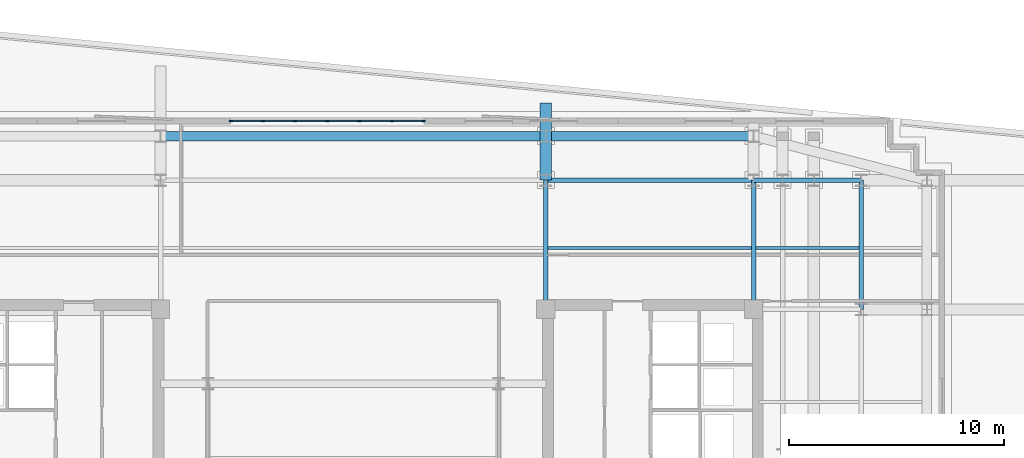
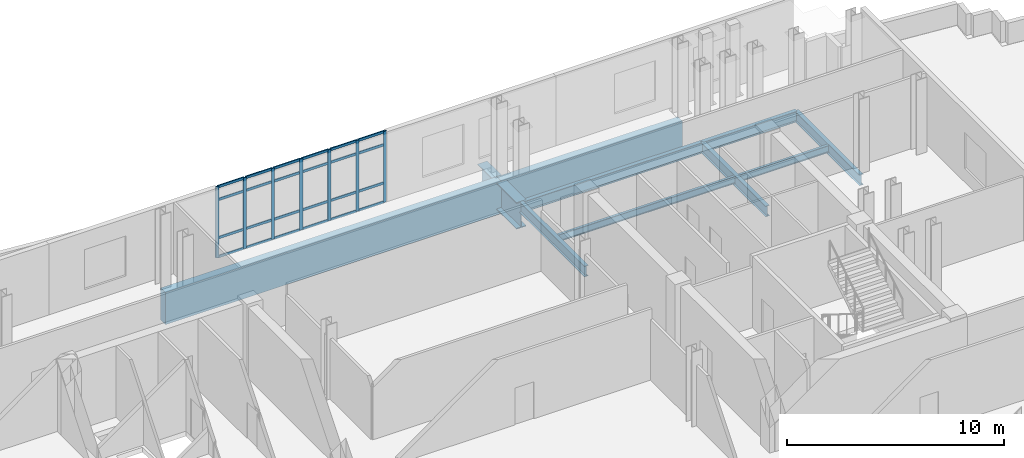
# One storey, part 3 of 11: 31 members, 10 beams, 1 element without a shape of its own.
"""IFC4 building model written with IfcOpenShell, lengths in metres."""

from ifc_helpers import new_model, si_unit, direction, frame, origin, origin_2d, place, context, subcontext, project, spatial, rectangle, i_section, extrude, material, layer, layer_set, material_profile, profile_set, type_object, element, aggregate, save


model = new_model("IFC4")

# Units and contexts
model_context = context("Model", 3, precision=1e-05, world=origin(), true_north=direction((0.0, 1.0)))
body_context = subcontext(model_context, "Body", "Model", "MODEL_VIEW")
ifc_project = project(units=[si_unit("LENGTHUNIT", "METRE"), si_unit("AREAUNIT", "SQUARE_METRE"), si_unit("VOLUMEUNIT", "CUBIC_METRE"), si_unit("PLANEANGLEUNIT", "RADIAN"), si_unit("MASSUNIT", "GRAM", prefix="KILO")], contexts=[model_context])

# Site, building, storey
site_placement = place(None, origin())
site = spatial("IfcSite", under=ifc_project, at=site_placement, CompositionType="ELEMENT")
building_placement = place(site_placement, origin())
building = spatial("IfcBuilding", under=site, at=building_placement, Name="Velakula Bourse", CompositionType="ELEMENT")
storey_placement = place(building_placement, frame((0.0, 0.0, 204.300048828125)))
storey = spatial("IfcBuildingStorey", under=building, at=storey_placement, Name="L55", CompositionType="ELEMENT", Elevation=204.300048828125)

# Beams
ifc_material_1 = material(Name="Steel IS 2062 Grade 350 (E350)", Category="steel")
ifc_material_profile_1 = material_profile(ifc_material_1, i_section(OverallWidth=0.2099609375, OverallDepth=0.60009765625, WebThickness=0.011962890625, FlangeThickness=0.020751953125, at=origin_2d()), Name="Steel IS 2062 Grade 350 (E350)")
ifc_profile_set_1 = profile_set([ifc_material_profile_1], Name="Steel IS 2062 Grade 350 (E350)")
beam_type_1 = type_object("IfcBeamType", Name="BM-GRD-600L", PredefinedType="BEAM", material=ifc_profile_set_1)
for number, where, z_axis, x_axis, name in (
    (1, (8.949951171875, 8.60009765625, -0.580078125), (0.0, 1.0, 0.0), (-1.0, 0.0, 0.0), "L55 Fulcrum Grid Girder FLC-ECN"),
    (2, (18.60009765625, 8.60009765625, -0.580078125), (0.0, 1.0, 0.0), (-1.0, 0.0, 0.0), "L55 Fulcrum Grid Girder FLC-EN"),
):
    element("IfcBeam", number, at=place(storey_placement, frame(where, z_axis=z_axis, x_axis=x_axis)), inside=storey, type_object=beam_type_1, Name=name, PredefinedType="BEAM", context=body_context, shape_type="SweptSolid", body=[
        extrude(i_section(OverallWidth=0.2099609375, OverallDepth=0.60009765625, WebThickness=0.011962890625, FlangeThickness=0.020751953125, at=origin_2d()), origin(), (0.0, 0.0, 1.0), 6.0),
    ])
beam_1_placement = place(storey_placement, frame((8.949951171875, 14.60009765625, -0.580078125), z_axis=(1.0, 0.0, 0.0), x_axis=(0.0, 1.0, 0.0)))
element("IfcBeam", 3, at=beam_1_placement, inside=storey, type_object=beam_type_1, Name="L55 Fulcrum Grid Girder FLC-N3", PredefinedType="BEAM", context=body_context, shape_type="SweptSolid", body=[
    extrude(i_section(OverallWidth=0.2099609375, OverallDepth=0.60009765625, WebThickness=0.011962890625, FlangeThickness=0.020751953125, at=origin_2d()), origin(), (0.0, 0.0, 1.0), 9.650146484375),
])
beam_2_placement = place(storey_placement, frame((18.60009765625, 14.60009765625, -0.580078125), z_axis=(1.0, 0.0, 0.0), x_axis=(0.0, 1.0, 0.0)))
element("IfcBeam", 4, at=beam_2_placement, inside=storey, type_object=beam_type_1, Name="L55 Fulcrum Grid Girder MWG-EN2", PredefinedType="BEAM", context=body_context, shape_type="SweptSolid", body=[
    extrude(i_section(OverallWidth=0.2099609375, OverallDepth=0.60009765625, WebThickness=0.011962890625, FlangeThickness=0.020751953125, at=origin_2d()), origin(), (0.0, 0.0, 1.0), 5.0),
])
beam_3_placement = place(storey_placement, frame((23.60009765625, 8.60009765625, -0.580078125), z_axis=(0.0, 1.0, 0.0), x_axis=(-1.0, 0.0, 0.0)))
element("IfcBeam", 5, at=beam_3_placement, inside=storey, type_object=beam_type_1, Name="L55 Fulcrum Grid Girder MWG-ENS3", PredefinedType="BEAM", context=body_context, shape_type="SweptSolid", body=[
    extrude(i_section(OverallWidth=0.2099609375, OverallDepth=0.60009765625, WebThickness=0.011962890625, FlangeThickness=0.020751953125, at=origin_2d()), origin(), (0.0, 0.0, 1.0), 6.0),
])
ifc_material_profile_2 = material_profile(ifc_material_1, i_section(OverallWidth=0.139892578125, OverallDepth=0.39990234375, WebThickness=0.0087890625, FlangeThickness=0.01611328125, at=origin_2d()), Name="Steel IS 2062 Grade 350 (E350)")
ifc_profile_set_2 = profile_set([ifc_material_profile_2], Name="Steel IS 2062 Grade 350 (E350)")
beam_type_2 = type_object("IfcBeamType", Name="JST-TWR-400", PredefinedType="JOIST", material=ifc_profile_set_2)
beam_4_placement = place(storey_placement, frame((9.054931640625, 11.449951171875, -0.47998046875), z_axis=(1.0, 0.0, 0.0), x_axis=(0.0, 1.0, 0.0)))
element("IfcBeam", 6, at=beam_4_placement, inside=storey, type_object=beam_type_2, Name="L55 Trading Floor Composite Joist 15", PredefinedType="JOIST", context=body_context, shape_type="SweptSolid", body=[
    extrude(i_section(OverallWidth=0.139892578125, OverallDepth=0.39990234375, WebThickness=0.0087890625, FlangeThickness=0.01611328125, at=origin_2d()), origin(), (0.0, 0.0, 1.0), 9.440185546875),
])
beam_5_placement = place(storey_placement, frame((18.705078125, 11.449951171875, -0.47998046875), z_axis=(1.0, 0.0, 0.0), x_axis=(0.0, 1.0, 0.0)))
element("IfcBeam", 7, at=beam_5_placement, inside=storey, type_object=beam_type_2, Name="L55 Trading Floor Composite Joist 16", PredefinedType="JOIST", context=body_context, shape_type="SweptSolid", body=[
    extrude(i_section(OverallWidth=0.139892578125, OverallDepth=0.39990234375, WebThickness=0.0087890625, FlangeThickness=0.01611328125, at=origin_2d()), origin(), (0.0, 0.0, 1.0), 4.7900390625),
])

# Curtain wall, members
ifc_material_2 = material(Name="Anodised bronze architectural aluminium", Category="aluminium")
ifc_layer = layer(ifc_material_2, 0.1650390625, Name="Anodised bronze architectural aluminium", Category="aluminium")
ifc_layer_set = layer_set([ifc_layer], Name="Anodised bronze architectural aluminium")
curtain_wall_type = type_object("IfcCurtainWallType", Name="CW-SL1", PredefinedType="NOTDEFINED", material=ifc_layer_set)
curtain_wall_placement = place(storey_placement, origin())
curtain_wall = element("IfcCurtainWall", 8, at=curtain_wall_placement, inside=storey, type_object=curtain_wall_type, Name="L55 Sky-Lobby Feature Curtain Wall", PredefinedType="NOTDEFINED")
ifc_material_profile_3 = material_profile(ifc_material_2, rectangle(XDim=0.06005859375, YDim=0.1650390625, at=origin_2d()), Name="Anodised bronze architectural aluminium")
ifc_profile_set_3 = profile_set([ifc_material_profile_3], Name="Anodised bronze architectural aluminium")
member_type_1 = type_object("IfcMemberType", Name="MUL-CW-SL1", PredefinedType="MULLION", material=ifc_profile_set_3)
member_1_placement = place(storey_placement, frame((-5.669921875, 17.35009765625, 0.0), z_axis=(0.0, 0.0, 1.0), x_axis=(0.0, 1.0, 0.0)))
member_1 = element("IfcMember", 9, at=member_1_placement, type_object=member_type_1, Name="CW-SL1 mullion 1", PredefinedType="MULLION", context=body_context, shape_type="SweptSolid", body=[
    extrude(rectangle(XDim=0.06005859375, YDim=0.1650390625, at=origin_2d()), origin(), (0.0, 0.0, 1.0), 4.0),
])
member_2_placement = place(storey_placement, frame((-4.199951171875, 17.35009765625, 0.0), z_axis=(0.0, 0.0, 1.0), x_axis=(0.0, 1.0, 0.0)))
member_2 = element("IfcMember", 10, at=member_2_placement, type_object=member_type_1, Name="CW-SL1 mullion 2", PredefinedType="MULLION", context=body_context, shape_type="SweptSolid", body=[
    extrude(rectangle(XDim=0.06005859375, YDim=0.1650390625, at=origin_2d()), origin(), (0.0, 0.0, 1.0), 4.0),
])
member_3_placement = place(storey_placement, frame((-2.699951171875, 17.35009765625, 0.0), z_axis=(0.0, 0.0, 1.0), x_axis=(0.0, 1.0, 0.0)))
member_3 = element("IfcMember", 11, at=member_3_placement, type_object=member_type_1, Name="CW-SL1 mullion 3", PredefinedType="MULLION", context=body_context, shape_type="SweptSolid", body=[
    extrude(rectangle(XDim=0.06005859375, YDim=0.1650390625, at=origin_2d()), origin(), (0.0, 0.0, 1.0), 4.0),
])
member_4_placement = place(storey_placement, frame((-1.199951171875, 17.35009765625, 0.0), z_axis=(0.0, 0.0, 1.0), x_axis=(0.0, 1.0, 0.0)))
member_4 = element("IfcMember", 12, at=member_4_placement, type_object=member_type_1, Name="CW-SL1 mullion 4", PredefinedType="MULLION", context=body_context, shape_type="SweptSolid", body=[
    extrude(rectangle(XDim=0.06005859375, YDim=0.1650390625, at=origin_2d()), origin(), (0.0, 0.0, 1.0), 4.0),
])
member_5_placement = place(storey_placement, frame((0.300048828125, 17.35009765625, 0.0), z_axis=(0.0, 0.0, 1.0), x_axis=(0.0, 1.0, 0.0)))
member_5 = element("IfcMember", 13, at=member_5_placement, type_object=member_type_1, Name="CW-SL1 mullion 5", PredefinedType="MULLION", context=body_context, shape_type="SweptSolid", body=[
    extrude(rectangle(XDim=0.06005859375, YDim=0.1650390625, at=origin_2d()), origin(), (0.0, 0.0, 1.0), 4.0),
])
member_6_placement = place(storey_placement, frame((1.800048828125, 17.35009765625, 0.0), z_axis=(0.0, 0.0, 1.0), x_axis=(0.0, 1.0, 0.0)))
member_6 = element("IfcMember", 14, at=member_6_placement, type_object=member_type_1, Name="CW-SL1 mullion 6", PredefinedType="MULLION", context=body_context, shape_type="SweptSolid", body=[
    extrude(rectangle(XDim=0.06005859375, YDim=0.1650390625, at=origin_2d()), origin(), (0.0, 0.0, 1.0), 4.0),
])
member_7_placement = place(storey_placement, frame((3.27001953125, 17.35009765625, 0.0), z_axis=(0.0, 0.0, 1.0), x_axis=(0.0, 1.0, 0.0)))
member_7 = element("IfcMember", 15, at=member_7_placement, type_object=member_type_1, Name="CW-SL1 mullion 7", PredefinedType="MULLION", context=body_context, shape_type="SweptSolid", body=[
    extrude(rectangle(XDim=0.06005859375, YDim=0.1650390625, at=origin_2d()), origin(), (0.0, 0.0, 1.0), 4.0),
])

# Beams
ifc_material_3 = material(Name="Concrete M50 (fck 50 MPa)", Category="concrete")
ifc_material_profile_4 = material_profile(ifc_material_3, rectangle(XDim=0.449951171875, YDim=1.800048828125, at=origin_2d()), Name="Concrete M50 (fck 50 MPa)")
ifc_profile_set_4 = profile_set([ifc_material_profile_4], Name="Concrete M50 (fck 50 MPa)")
beam_type_3 = type_object("IfcBeamType", Name="SPN-TRF-1800", PredefinedType="SPANDREL", material=ifc_profile_set_4)
beam_6_placement = place(storey_placement, frame((-8.949951171875, 16.64990234375, -1.179931640625), z_axis=(1.0, 0.0, 0.0), x_axis=(0.0, 1.0, 0.0)))
element("IfcBeam", 16, at=beam_6_placement, inside=storey, type_object=beam_type_3, Name="L55 Brick-Faced Precast Spandrel N2-N3", PredefinedType="SPANDREL", context=body_context, shape_type="SweptSolid", body=[
    extrude(rectangle(XDim=0.449951171875, YDim=1.800048828125, at=origin_2d()), origin(), (0.0, 0.0, 1.0), 17.89990234375),
])
beam_7_placement = place(storey_placement, frame((8.949951171875, 16.64990234375, -1.179931640625), z_axis=(1.0, 0.0, 0.0), x_axis=(0.0, 1.0, 0.0)))
element("IfcBeam", 17, at=beam_7_placement, inside=storey, type_object=beam_type_3, Name="L55 Brick-Faced Precast Spandrel N3-N4", PredefinedType="SPANDREL", context=body_context, shape_type="SweptSolid", body=[
    extrude(rectangle(XDim=0.449951171875, YDim=1.800048828125, at=origin_2d()), origin(), (0.0, 0.0, 1.0), 9.650146484375),
])
ifc_material_4 = material(Name="Steel IS 2062 Grade 450 (E450)", Category="steel")
ifc_material_profile_5 = material_profile(ifc_material_4, i_section(OverallWidth=0.52001953125, OverallDepth=1.5, WebThickness=0.030029296875, FlangeThickness=0.048095703125, at=origin_2d()), Name="Steel IS 2062 Grade 450 (E450)")
ifc_profile_set_5 = profile_set([ifc_material_profile_5], Name="Steel IS 2062 Grade 450 (E450)")
beam_type_4 = type_object("IfcBeamType", Name="TB-CANT-1500", PredefinedType="BEAM", material=ifc_profile_set_5)
beam_8_placement = place(storey_placement, frame((8.949951171875, 14.60009765625, -1.030029296875), z_axis=(0.0, 1.0, 0.0), x_axis=(-1.0, 0.0, 0.0)))
element("IfcBeam", 18, at=beam_8_placement, inside=storey, type_object=beam_type_4, Name="L55 Block B5 Transfer Girder N3", PredefinedType="BEAM", context=body_context, shape_type="SweptSolid", body=[
    extrude(i_section(OverallWidth=0.52001953125, OverallDepth=1.5, WebThickness=0.030029296875, FlangeThickness=0.048095703125, at=origin_2d()), origin(), (0.0, 0.0, 1.0), 3.589599609375),
])

# Member
ifc_material_profile_6 = material_profile(ifc_material_2, rectangle(XDim=0.06005859375, YDim=0.139892578125, at=origin_2d()), Name="Anodised bronze architectural aluminium")
ifc_profile_set_6 = profile_set([ifc_material_profile_6], Name="Anodised bronze architectural aluminium")
member_type_2 = type_object("IfcMemberType", Name="TRN-CW-SL1", PredefinedType="USERDEFINED", material=ifc_profile_set_6)
member_8_placement = place(storey_placement, frame((-5.639892578125, 17.35009765625, 0.030029296875), z_axis=(1.0, 0.0, 0.0), x_axis=(0.0, 1.0, 0.0)))
member_8 = element("IfcMember", 19, at=member_8_placement, type_object=member_type_2, Name="CW-SL1 transom 1.1", ObjectType="TRANSOM", PredefinedType="USERDEFINED", context=body_context, shape_type="SweptSolid", body=[
    extrude(rectangle(XDim=0.06005859375, YDim=0.139892578125, at=origin_2d()), origin(), (0.0, 0.0, 1.0), 1.409912109375),
])

member_9_placement = place(storey_placement, frame((-5.639892578125, 17.35009765625, 1.099853515625), z_axis=(1.0, 0.0, 0.0), x_axis=(0.0, 1.0, 0.0)))
member_9 = element("IfcMember", 20, at=member_9_placement, type_object=member_type_2, Name="CW-SL1 transom 1.2", ObjectType="TRANSOM", PredefinedType="USERDEFINED", context=body_context, shape_type="SweptSolid", body=[
    extrude(rectangle(XDim=0.06005859375, YDim=0.139892578125, at=origin_2d()), origin(), (0.0, 0.0, 1.0), 1.409912109375),
])

member_10_placement = place(storey_placement, frame((-5.639892578125, 17.35009765625, 3.25), z_axis=(1.0, 0.0, 0.0), x_axis=(0.0, 1.0, 0.0)))
member_10 = element("IfcMember", 21, at=member_10_placement, type_object=member_type_2, Name="CW-SL1 transom 1.3", ObjectType="TRANSOM", PredefinedType="USERDEFINED", context=body_context, shape_type="SweptSolid", body=[
    extrude(rectangle(XDim=0.06005859375, YDim=0.139892578125, at=origin_2d()), origin(), (0.0, 0.0, 1.0), 1.409912109375),
])

member_11_placement = place(storey_placement, frame((-5.639892578125, 17.35009765625, 3.969970703125), z_axis=(1.0, 0.0, 0.0), x_axis=(0.0, 1.0, 0.0)))
member_11 = element("IfcMember", 22, at=member_11_placement, type_object=member_type_2, Name="CW-SL1 transom 1.4", ObjectType="TRANSOM", PredefinedType="USERDEFINED", context=body_context, shape_type="SweptSolid", body=[
    extrude(rectangle(XDim=0.06005859375, YDim=0.139892578125, at=origin_2d()), origin(), (0.0, 0.0, 1.0), 1.409912109375),
])

member_12_placement = place(storey_placement, frame((-4.169921875, 17.35009765625, 0.030029296875), z_axis=(1.0, 0.0, 0.0), x_axis=(0.0, 1.0, 0.0)))
member_12 = element("IfcMember", 23, at=member_12_placement, type_object=member_type_2, Name="CW-SL1 transom 2.1", ObjectType="TRANSOM", PredefinedType="USERDEFINED", context=body_context, shape_type="SweptSolid", body=[
    extrude(rectangle(XDim=0.06005859375, YDim=0.139892578125, at=origin_2d()), origin(), (0.0, 0.0, 1.0), 1.43994140625),
])

member_13_placement = place(storey_placement, frame((-4.169921875, 17.35009765625, 1.099853515625), z_axis=(1.0, 0.0, 0.0), x_axis=(0.0, 1.0, 0.0)))
member_13 = element("IfcMember", 24, at=member_13_placement, type_object=member_type_2, Name="CW-SL1 transom 2.2", ObjectType="TRANSOM", PredefinedType="USERDEFINED", context=body_context, shape_type="SweptSolid", body=[
    extrude(rectangle(XDim=0.06005859375, YDim=0.139892578125, at=origin_2d()), origin(), (0.0, 0.0, 1.0), 1.43994140625),
])

member_14_placement = place(storey_placement, frame((-4.169921875, 17.35009765625, 3.25), z_axis=(1.0, 0.0, 0.0), x_axis=(0.0, 1.0, 0.0)))
member_14 = element("IfcMember", 25, at=member_14_placement, type_object=member_type_2, Name="CW-SL1 transom 2.3", ObjectType="TRANSOM", PredefinedType="USERDEFINED", context=body_context, shape_type="SweptSolid", body=[
    extrude(rectangle(XDim=0.06005859375, YDim=0.139892578125, at=origin_2d()), origin(), (0.0, 0.0, 1.0), 1.43994140625),
])

member_15_placement = place(storey_placement, frame((-4.169921875, 17.35009765625, 3.969970703125), z_axis=(1.0, 0.0, 0.0), x_axis=(0.0, 1.0, 0.0)))
member_15 = element("IfcMember", 26, at=member_15_placement, type_object=member_type_2, Name="CW-SL1 transom 2.4", ObjectType="TRANSOM", PredefinedType="USERDEFINED", context=body_context, shape_type="SweptSolid", body=[
    extrude(rectangle(XDim=0.06005859375, YDim=0.139892578125, at=origin_2d()), origin(), (0.0, 0.0, 1.0), 1.43994140625),
])

member_16_placement = place(storey_placement, frame((-2.669921875, 17.35009765625, 0.030029296875), z_axis=(1.0, 0.0, 0.0), x_axis=(0.0, 1.0, 0.0)))
member_16 = element("IfcMember", 27, at=member_16_placement, type_object=member_type_2, Name="CW-SL1 transom 3.1", ObjectType="TRANSOM", PredefinedType="USERDEFINED", context=body_context, shape_type="SweptSolid", body=[
    extrude(rectangle(XDim=0.06005859375, YDim=0.139892578125, at=origin_2d()), origin(), (0.0, 0.0, 1.0), 1.43994140625),
])

member_17_placement = place(storey_placement, frame((-2.669921875, 17.35009765625, 1.099853515625), z_axis=(1.0, 0.0, 0.0), x_axis=(0.0, 1.0, 0.0)))
member_17 = element("IfcMember", 28, at=member_17_placement, type_object=member_type_2, Name="CW-SL1 transom 3.2", ObjectType="TRANSOM", PredefinedType="USERDEFINED", context=body_context, shape_type="SweptSolid", body=[
    extrude(rectangle(XDim=0.06005859375, YDim=0.139892578125, at=origin_2d()), origin(), (0.0, 0.0, 1.0), 1.43994140625),
])

member_18_placement = place(storey_placement, frame((-2.669921875, 17.35009765625, 3.25), z_axis=(1.0, 0.0, 0.0), x_axis=(0.0, 1.0, 0.0)))
member_18 = element("IfcMember", 29, at=member_18_placement, type_object=member_type_2, Name="CW-SL1 transom 3.3", ObjectType="TRANSOM", PredefinedType="USERDEFINED", context=body_context, shape_type="SweptSolid", body=[
    extrude(rectangle(XDim=0.06005859375, YDim=0.139892578125, at=origin_2d()), origin(), (0.0, 0.0, 1.0), 1.43994140625),
])

member_19_placement = place(storey_placement, frame((-2.669921875, 17.35009765625, 3.969970703125), z_axis=(1.0, 0.0, 0.0), x_axis=(0.0, 1.0, 0.0)))
member_19 = element("IfcMember", 30, at=member_19_placement, type_object=member_type_2, Name="CW-SL1 transom 3.4", ObjectType="TRANSOM", PredefinedType="USERDEFINED", context=body_context, shape_type="SweptSolid", body=[
    extrude(rectangle(XDim=0.06005859375, YDim=0.139892578125, at=origin_2d()), origin(), (0.0, 0.0, 1.0), 1.43994140625),
])

member_20_placement = place(storey_placement, frame((-1.169921875, 17.35009765625, 0.030029296875), z_axis=(1.0, 0.0, 0.0), x_axis=(0.0, 1.0, 0.0)))
member_20 = element("IfcMember", 31, at=member_20_placement, type_object=member_type_2, Name="CW-SL1 transom 4.1", ObjectType="TRANSOM", PredefinedType="USERDEFINED", context=body_context, shape_type="SweptSolid", body=[
    extrude(rectangle(XDim=0.06005859375, YDim=0.139892578125, at=origin_2d()), origin(), (0.0, 0.0, 1.0), 1.43994140625),
])

member_21_placement = place(storey_placement, frame((-1.169921875, 17.35009765625, 1.099853515625), z_axis=(1.0, 0.0, 0.0), x_axis=(0.0, 1.0, 0.0)))
member_21 = element("IfcMember", 32, at=member_21_placement, type_object=member_type_2, Name="CW-SL1 transom 4.2", ObjectType="TRANSOM", PredefinedType="USERDEFINED", context=body_context, shape_type="SweptSolid", body=[
    extrude(rectangle(XDim=0.06005859375, YDim=0.139892578125, at=origin_2d()), origin(), (0.0, 0.0, 1.0), 1.43994140625),
])

member_22_placement = place(storey_placement, frame((-1.169921875, 17.35009765625, 3.25), z_axis=(1.0, 0.0, 0.0), x_axis=(0.0, 1.0, 0.0)))
member_22 = element("IfcMember", 33, at=member_22_placement, type_object=member_type_2, Name="CW-SL1 transom 4.3", ObjectType="TRANSOM", PredefinedType="USERDEFINED", context=body_context, shape_type="SweptSolid", body=[
    extrude(rectangle(XDim=0.06005859375, YDim=0.139892578125, at=origin_2d()), origin(), (0.0, 0.0, 1.0), 1.43994140625),
])

member_23_placement = place(storey_placement, frame((-1.169921875, 17.35009765625, 3.969970703125), z_axis=(1.0, 0.0, 0.0), x_axis=(0.0, 1.0, 0.0)))
member_23 = element("IfcMember", 34, at=member_23_placement, type_object=member_type_2, Name="CW-SL1 transom 4.4", ObjectType="TRANSOM", PredefinedType="USERDEFINED", context=body_context, shape_type="SweptSolid", body=[
    extrude(rectangle(XDim=0.06005859375, YDim=0.139892578125, at=origin_2d()), origin(), (0.0, 0.0, 1.0), 1.43994140625),
])

member_24_placement = place(storey_placement, frame((0.330078125, 17.35009765625, 0.030029296875), z_axis=(1.0, 0.0, 0.0), x_axis=(0.0, 1.0, 0.0)))
member_24 = element("IfcMember", 35, at=member_24_placement, type_object=member_type_2, Name="CW-SL1 transom 5.1", ObjectType="TRANSOM", PredefinedType="USERDEFINED", context=body_context, shape_type="SweptSolid", body=[
    extrude(rectangle(XDim=0.06005859375, YDim=0.139892578125, at=origin_2d()), origin(), (0.0, 0.0, 1.0), 1.43994140625),
])

member_25_placement = place(storey_placement, frame((0.330078125, 17.35009765625, 1.099853515625), z_axis=(1.0, 0.0, 0.0), x_axis=(0.0, 1.0, 0.0)))
member_25 = element("IfcMember", 36, at=member_25_placement, type_object=member_type_2, Name="CW-SL1 transom 5.2", ObjectType="TRANSOM", PredefinedType="USERDEFINED", context=body_context, shape_type="SweptSolid", body=[
    extrude(rectangle(XDim=0.06005859375, YDim=0.139892578125, at=origin_2d()), origin(), (0.0, 0.0, 1.0), 1.43994140625),
])

member_26_placement = place(storey_placement, frame((0.330078125, 17.35009765625, 3.25), z_axis=(1.0, 0.0, 0.0), x_axis=(0.0, 1.0, 0.0)))
member_26 = element("IfcMember", 37, at=member_26_placement, type_object=member_type_2, Name="CW-SL1 transom 5.3", ObjectType="TRANSOM", PredefinedType="USERDEFINED", context=body_context, shape_type="SweptSolid", body=[
    extrude(rectangle(XDim=0.06005859375, YDim=0.139892578125, at=origin_2d()), origin(), (0.0, 0.0, 1.0), 1.43994140625),
])

member_27_placement = place(storey_placement, frame((0.330078125, 17.35009765625, 3.969970703125), z_axis=(1.0, 0.0, 0.0), x_axis=(0.0, 1.0, 0.0)))
member_27 = element("IfcMember", 38, at=member_27_placement, type_object=member_type_2, Name="CW-SL1 transom 5.4", ObjectType="TRANSOM", PredefinedType="USERDEFINED", context=body_context, shape_type="SweptSolid", body=[
    extrude(rectangle(XDim=0.06005859375, YDim=0.139892578125, at=origin_2d()), origin(), (0.0, 0.0, 1.0), 1.43994140625),
])

member_28_placement = place(storey_placement, frame((1.830078125, 17.35009765625, 0.030029296875), z_axis=(1.0, 0.0, 0.0), x_axis=(0.0, 1.0, 0.0)))
member_28 = element("IfcMember", 39, at=member_28_placement, type_object=member_type_2, Name="CW-SL1 transom 6.1", ObjectType="TRANSOM", PredefinedType="USERDEFINED", context=body_context, shape_type="SweptSolid", body=[
    extrude(rectangle(XDim=0.06005859375, YDim=0.139892578125, at=origin_2d()), origin(), (0.0, 0.0, 1.0), 1.409912109375),
])

member_29_placement = place(storey_placement, frame((1.830078125, 17.35009765625, 1.099853515625), z_axis=(1.0, 0.0, 0.0), x_axis=(0.0, 1.0, 0.0)))
member_29 = element("IfcMember", 40, at=member_29_placement, type_object=member_type_2, Name="CW-SL1 transom 6.2", ObjectType="TRANSOM", PredefinedType="USERDEFINED", context=body_context, shape_type="SweptSolid", body=[
    extrude(rectangle(XDim=0.06005859375, YDim=0.139892578125, at=origin_2d()), origin(), (0.0, 0.0, 1.0), 1.409912109375),
])

member_30_placement = place(storey_placement, frame((1.830078125, 17.35009765625, 3.25), z_axis=(1.0, 0.0, 0.0), x_axis=(0.0, 1.0, 0.0)))
member_30 = element("IfcMember", 41, at=member_30_placement, type_object=member_type_2, Name="CW-SL1 transom 6.3", ObjectType="TRANSOM", PredefinedType="USERDEFINED", context=body_context, shape_type="SweptSolid", body=[
    extrude(rectangle(XDim=0.06005859375, YDim=0.139892578125, at=origin_2d()), origin(), (0.0, 0.0, 1.0), 1.409912109375),
])

member_31_placement = place(storey_placement, frame((1.830078125, 17.35009765625, 3.969970703125), z_axis=(1.0, 0.0, 0.0), x_axis=(0.0, 1.0, 0.0)))
member_31 = element("IfcMember", 42, at=member_31_placement, type_object=member_type_2, Name="CW-SL1 transom 6.4", ObjectType="TRANSOM", PredefinedType="USERDEFINED", context=body_context, shape_type="SweptSolid", body=[
    extrude(rectangle(XDim=0.06005859375, YDim=0.139892578125, at=origin_2d()), origin(), (0.0, 0.0, 1.0), 1.409912109375),
])

aggregate(curtain_wall, [member_1, member_2, member_3, member_4, member_5, member_6, member_7, member_8, member_9, member_10, member_11, member_12, member_13, member_14, member_15, member_16, member_17, member_18, member_19, member_20, member_21, member_22, member_23, member_24, member_25, member_26, member_27, member_28, member_29, member_30, member_31])

save(model, "model.ifc")
